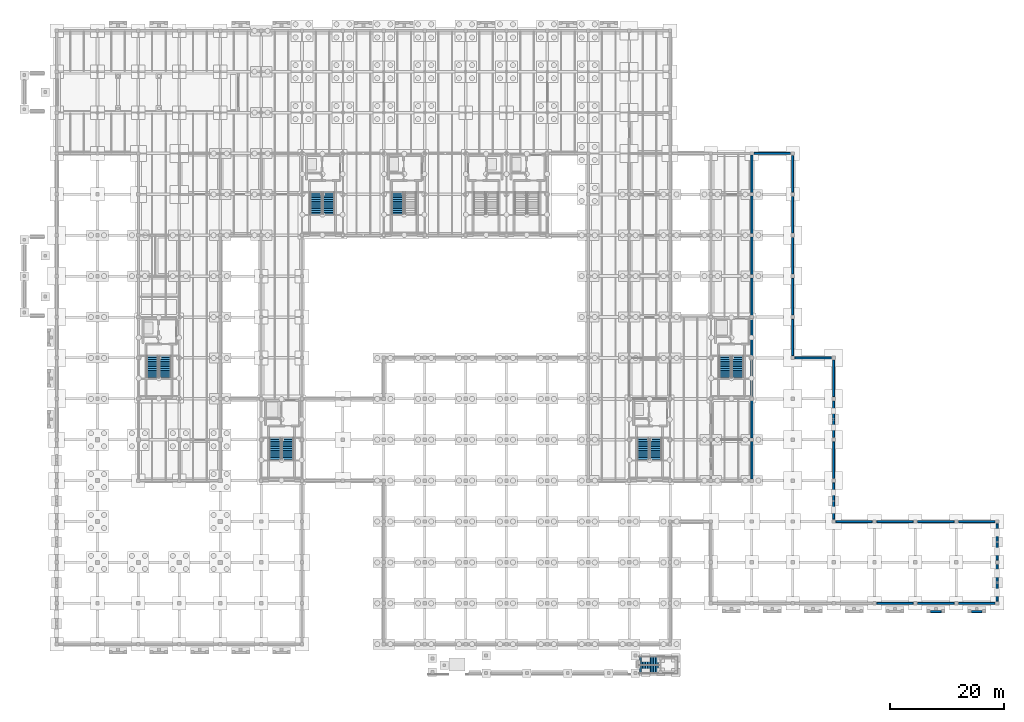
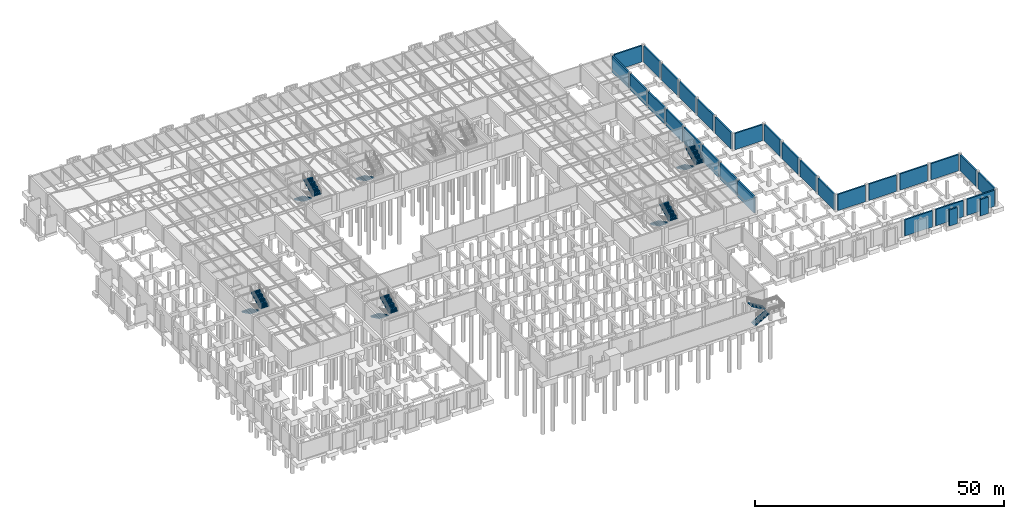
# One storey, part 38 of 46: 30 walls, 13 stair flights, 7 elements without a shape of their own.
"""IFC4 building model written with IfcOpenShell, lengths in metres."""

from ifc_helpers import new_model, si_unit, direction, frame, frame_2d, origin, place, context, subcontext, project, spatial, polyline, rectangle, outline, extrude, material, layer, layer_set, type_object, element, aggregate, save


model = new_model("IFC4")

# Units and contexts
model_context = context("Model", 3, precision=1e-05, world=origin(), true_north=direction((0.0, 1.0)))
body_context = subcontext(model_context, "Body", "Model", "MODEL_VIEW")
ifc_project = project(units=[si_unit("LENGTHUNIT", "METRE"), si_unit("AREAUNIT", "SQUARE_METRE"), si_unit("VOLUMEUNIT", "CUBIC_METRE"), si_unit("PLANEANGLEUNIT", "RADIAN"), si_unit("MASSUNIT", "GRAM", prefix="KILO")], contexts=[model_context])

# Site, building, storey
site_placement = place(None, origin())
site = spatial("IfcSite", under=ifc_project, at=site_placement, CompositionType="ELEMENT")
building_placement = place(site_placement, origin())
building = spatial("IfcBuilding", under=site, at=building_placement, Name="Sillqori Civic Hall", CompositionType="ELEMENT")
storey_placement = place(building_placement, frame((0.0, 0.0, -4.199951171875)))
storey = spatial("IfcBuildingStorey", under=building, at=storey_placement, Name="B01", CompositionType="ELEMENT", Elevation=-4.199951171875)

# Walls
ifc_material_1 = material(Name="Concrete C35/45 (H35)", Category="concrete")
ifc_layer = layer(ifc_material_1, 0.35009765625)
ifc_layer_set = layer_set([ifc_layer], Name="Concrete C35/45 (H35)")
wall_type = type_object("IfcWallType", Name="RW-H35-350", PredefinedType="USERDEFINED", material=ifc_layer_set)
wall_1_placement = place(storey_placement, frame((129.60009765625, 36.300048828125, 0.0), z_axis=(0.0, 0.0, 1.0), x_axis=(0.0, 1.0, 0.0)))
element("IfcWall", 1, at=wall_1_placement, inside=storey, type_object=wall_type, Name="Basement retaining wall E 17-5", ObjectType="RETAININGWALL", PredefinedType="USERDEFINED", context=body_context, shape_type="SweptSolid", body=[
    extrude(rectangle(XDim=6.599853515625, YDim=0.35009765625, at=frame_2d((3.2998046875, 0.0))), origin(), (0.0, 0.0, 1.0), 3.97998046875),
])
for number, where, z_axis, x_axis, name in (
    (2, (129.60009765625, 43.5, 0.0), (0.0, 0.0, 1.0), (0.0, 1.0, 0.0), "Basement retaining wall E 17-6"),
    (3, (129.60009765625, 50.699951171875, 0.0), (0.0, 0.0, 1.0), (0.0, 1.0, 0.0), "Basement retaining wall E 17-7"),
    (4, (129.60009765625, 57.89990234375, 0.0), (0.0, 0.0, 1.0), (0.0, 1.0, 0.0), "Basement retaining wall E 17-8"),
):
    element("IfcWall", number, at=place(storey_placement, frame(where, z_axis=z_axis, x_axis=x_axis)), inside=storey, type_object=wall_type, Name=name, ObjectType="RETAININGWALL", PredefinedType="USERDEFINED", context=body_context, shape_type="SweptSolid", body=[
        extrude(rectangle(XDim=6.60009765625, YDim=0.35009765625, at=frame_2d((3.300048828125, 0.0))), origin(), (0.0, 0.0, 1.0), 3.97998046875),
    ])
for number, where, z_axis, x_axis, name in (
    (5, (129.60009765625, 65.10009765625, 0.0), (0.0, 0.0, 1.0), (0.0, 1.0, 0.0), "Basement retaining wall E 17-9"),
    (6, (129.60009765625, 72.300048828125, 0.0), (0.0, 0.0, 1.0), (0.0, 1.0, 0.0), "Basement retaining wall E 17-10"),
):
    element("IfcWall", number, at=place(storey_placement, frame(where, z_axis=z_axis, x_axis=x_axis)), inside=storey, type_object=wall_type, Name=name, ObjectType="RETAININGWALL", PredefinedType="USERDEFINED", context=body_context, shape_type="SweptSolid", body=[
        extrude(rectangle(XDim=6.599853515625, YDim=0.35009765625, at=frame_2d((3.2998046875, 0.0))), origin(), (0.0, 0.0, 1.0), 3.97998046875),
    ])
for number, where, z_axis, x_axis, name in (
    (7, (129.60009765625, 79.5, 0.0), (0.0, 0.0, 1.0), (0.0, 1.0, 0.0), "Basement retaining wall E 17-11"),
    (8, (129.60009765625, 86.699951171875, 0.0), (0.0, 0.0, 1.0), (0.0, 1.0, 0.0), "Basement retaining wall E 17-12"),
):
    element("IfcWall", number, at=place(storey_placement, frame(where, z_axis=z_axis, x_axis=x_axis)), inside=storey, type_object=wall_type, Name=name, ObjectType="RETAININGWALL", PredefinedType="USERDEFINED", context=body_context, shape_type="SweptSolid", body=[
        extrude(rectangle(XDim=6.60009765625, YDim=0.35009765625, at=frame_2d((3.300048828125, 0.0))), origin(), (0.0, 0.0, 1.0), 3.97998046875),
    ])
wall_2_placement = place(storey_placement, frame((136.800048828125, 58.0, 0.0), z_axis=(0.0, 0.0, 1.0), x_axis=(0.0, 1.0, 0.0)))
element("IfcWall", 9, at=wall_2_placement, inside=storey, type_object=wall_type, Name="Podium plinth retaining wall E 18-8", ObjectType="RETAININGWALL", PredefinedType="USERDEFINED", context=body_context, shape_type="SweptSolid", body=[
    extrude(rectangle(XDim=6.39990234375, YDim=0.35009765625, at=frame_2d((3.199951171875, 0.0))), origin(), (0.0, 0.0, 1.0), 3.97998046875),
])
for number, where, z_axis, x_axis, name in (
    (10, (136.800048828125, 65.199951171875, 0.0), (0.0, 0.0, 1.0), (0.0, 1.0, 0.0), "Podium plinth retaining wall E 18-9"),
    (11, (136.800048828125, 72.39990234375, 0.0), (0.0, 0.0, 1.0), (0.0, 1.0, 0.0), "Podium plinth retaining wall E 18-10"),
):
    element("IfcWall", number, at=place(storey_placement, frame(where, z_axis=z_axis, x_axis=x_axis)), inside=storey, type_object=wall_type, Name=name, ObjectType="RETAININGWALL", PredefinedType="USERDEFINED", context=body_context, shape_type="SweptSolid", body=[
        extrude(rectangle(XDim=6.400146484375, YDim=0.35009765625, at=frame_2d((3.2001953125, 0.0))), origin(), (0.0, 0.0, 1.0), 3.97998046875),
    ])
for number, where, z_axis, x_axis, name in (
    (12, (136.800048828125, 79.60009765625, 0.0), (0.0, 0.0, 1.0), (0.0, 1.0, 0.0), "Podium plinth retaining wall E 18-11"),
    (13, (130.0, 93.60009765625, 0.0), (0.0, 0.0, 1.0), (1.0, 0.0, 0.0), "Podium plinth retaining wall N 18-12"),
    (14, (136.800048828125, 86.800048828125, 0.0), (0.0, 0.0, 1.0), (0.0, 1.0, 0.0), "Podium plinth retaining wall E 18-12"),
):
    element("IfcWall", number, at=place(storey_placement, frame(where, z_axis=z_axis, x_axis=x_axis)), inside=storey, type_object=wall_type, Name=name, ObjectType="RETAININGWALL", PredefinedType="USERDEFINED", context=body_context, shape_type="SweptSolid", body=[
        extrude(rectangle(XDim=6.39990234375, YDim=0.35009765625, at=frame_2d((3.199951171875, 0.0))), origin(), (0.0, 0.0, 1.0), 3.97998046875),
    ])
for number, where, z_axis, x_axis, name in (
    (15, (144.0, 29.199951171875, 0.0), (0.0, 0.0, 1.0), (0.0, 1.0, 0.0), "Podium plinth retaining wall E 19-4"),
    (16, (144.0, 36.39990234375, 0.0), (0.0, 0.0, 1.0), (0.0, 1.0, 0.0), "Podium plinth retaining wall E 19-5"),
):
    element("IfcWall", number, at=place(storey_placement, frame(where, z_axis=z_axis, x_axis=x_axis)), inside=storey, type_object=wall_type, Name=name, ObjectType="RETAININGWALL", PredefinedType="USERDEFINED", context=body_context, shape_type="SweptSolid", body=[
        extrude(rectangle(XDim=6.400146484375, YDim=0.35009765625, at=frame_2d((3.2001953125, 0.0))), origin(), (0.0, 0.0, 1.0), 3.97998046875),
    ])
wall_3_placement = place(storey_placement, frame((144.0, 43.60009765625, 0.0), z_axis=(0.0, 0.0, 1.0), x_axis=(0.0, 1.0, 0.0)))
element("IfcWall", 17, at=wall_3_placement, inside=storey, type_object=wall_type, Name="Podium plinth retaining wall E 19-6", ObjectType="RETAININGWALL", PredefinedType="USERDEFINED", context=body_context, shape_type="SweptSolid", body=[
    extrude(rectangle(XDim=6.39990234375, YDim=0.35009765625, at=frame_2d((3.199951171875, 0.0))), origin(), (0.0, 0.0, 1.0), 3.97998046875),
])
wall_4_placement = place(storey_placement, frame((137.199951171875, 57.60009765625, 0.0), z_axis=(0.0, 0.0, 1.0), x_axis=(1.0, 0.0, 0.0)))
element("IfcWall", 18, at=wall_4_placement, inside=storey, type_object=wall_type, Name="Podium plinth retaining wall N 19-7", ObjectType="RETAININGWALL", PredefinedType="USERDEFINED", context=body_context, shape_type="SweptSolid", body=[
    extrude(rectangle(XDim=6.400146484375, YDim=0.35009765625, at=frame_2d((3.2001953125, 0.0))), origin(), (0.0, 0.0, 1.0), 3.97998046875),
])
wall_5_placement = place(storey_placement, frame((144.0, 50.800048828125, 0.0), z_axis=(0.0, 0.0, 1.0), x_axis=(0.0, 1.0, 0.0)))
element("IfcWall", 19, at=wall_5_placement, inside=storey, type_object=wall_type, Name="Podium plinth retaining wall E 19-7", ObjectType="RETAININGWALL", PredefinedType="USERDEFINED", context=body_context, shape_type="SweptSolid", body=[
    extrude(rectangle(XDim=6.39990234375, YDim=0.35009765625, at=frame_2d((3.199951171875, 0.0))), origin(), (0.0, 0.0, 1.0), 3.97998046875),
])
wall_6_placement = place(storey_placement, frame((144.39990234375, 28.800048828125, 0.0), z_axis=(0.0, 0.0, 1.0), x_axis=(1.0, 0.0, 0.0)))
element("IfcWall", 20, at=wall_6_placement, inside=storey, type_object=wall_type, Name="Podium plinth retaining wall N 20-3", ObjectType="RETAININGWALL", PredefinedType="USERDEFINED", context=body_context, shape_type="SweptSolid", body=[
    extrude(rectangle(XDim=6.400146484375, YDim=0.35009765625, at=frame_2d((3.2001953125, 0.0))), origin(), (0.0, 0.0, 1.0), 3.97998046875),
])
for number, where, z_axis, x_axis, name in (
    (21, (151.60009765625, 14.39990234375, 0.0), (0.0, 0.0, 1.0), (1.0, 0.0, 0.0), "Podium plinth retaining wall S 21-2"),
    (22, (151.60009765625, 28.800048828125, 0.0), (0.0, 0.0, 1.0), (1.0, 0.0, 0.0), "Podium plinth retaining wall N 21-3"),
    (23, (158.800048828125, 14.39990234375, 0.0), (0.0, 0.0, 1.0), (1.0, 0.0, 0.0), "Podium plinth retaining wall S 22-2"),
    (24, (158.800048828125, 28.800048828125, 0.0), (0.0, 0.0, 1.0), (1.0, 0.0, 0.0), "Podium plinth retaining wall N 22-3"),
    (25, (166.0, 14.39990234375, 0.0), (0.0, 0.0, 1.0), (1.0, 0.0, 0.0), "Podium plinth retaining wall S 23-2"),
    (26, (172.800048828125, 14.800048828125, 0.0), (0.0, 0.0, 1.0), (0.0, 1.0, 0.0), "Podium plinth retaining wall E 23-2"),
    (27, (166.0, 28.800048828125, 0.0), (0.0, 0.0, 1.0), (1.0, 0.0, 0.0), "Podium plinth retaining wall N 23-3"),
    (28, (172.800048828125, 22.0, 0.0), (0.0, 0.0, 1.0), (0.0, 1.0, 0.0), "Podium plinth retaining wall E 23-3"),
):
    element("IfcWall", number, at=place(storey_placement, frame(where, z_axis=z_axis, x_axis=x_axis)), inside=storey, type_object=wall_type, Name=name, ObjectType="RETAININGWALL", PredefinedType="USERDEFINED", context=body_context, shape_type="SweptSolid", body=[
        extrude(rectangle(XDim=6.39990234375, YDim=0.35009765625, at=frame_2d((3.199951171875, 0.0))), origin(), (0.0, 0.0, 1.0), 3.97998046875),
    ])
wall_7_placement = place(storey_placement, frame((161.080078125, 12.919921875, 0.0), z_axis=(0.0, 0.0, 1.0), x_axis=(1.0, 0.0, 0.0)))
element("IfcWall", 29, at=wall_7_placement, inside=storey, type_object=wall_type, Name="Library Archive Garden Portal plinth retaining wall", ObjectType="RETAININGWALL", PredefinedType="USERDEFINED", context=body_context, shape_type="SweptSolid", body=[
    extrude(rectangle(XDim=1.83984375, YDim=0.35009765625, at=frame_2d((0.919921875, 0.0))), origin(), (0.0, 0.0, 1.0), 3.97998046875),
])
wall_8_placement = place(storey_placement, frame((168.280029296875, 12.919921875, 0.0), z_axis=(0.0, 0.0, 1.0), x_axis=(1.0, 0.0, 0.0)))
element("IfcWall", 30, at=wall_8_placement, inside=storey, type_object=wall_type, Name="Library Pavilion Far East Exit plinth retaining wall", ObjectType="RETAININGWALL", PredefinedType="USERDEFINED", context=body_context, shape_type="SweptSolid", body=[
    extrude(rectangle(XDim=1.840087890625, YDim=0.35009765625, at=frame_2d((0.919921875, 0.0))), origin(), (0.0, 0.0, 1.0), 3.97998046875),
])

# Stair, stair flights
stair_type_1 = type_object("IfcStairType", Name="STR-CORE-01", PredefinedType="DOUBLE_RETURN_STAIR", material=ifc_material_1)
stair_1_placement = place(storey_placement, origin())
stair_1 = element("IfcStair", 31, at=stair_1_placement, inside=storey, type_object=stair_type_1, Name="B01 Core exit stair ST-01", PredefinedType="DOUBLE_RETURN_STAIR")
stair_flight_type_1 = type_object("IfcStairFlightType", Name="SFL-CORE-220", PredefinedType="STRAIGHT", material=ifc_material_1)
stair_flight_1_placement = place(storey_placement, frame((45.68994140625, 43.570068359375, 0.0), z_axis=(0.0, 0.0, 1.0), x_axis=(0.0, -1.0, 0.0)))
stair_flight_1 = element("IfcStairFlight", 32, at=stair_flight_1_placement, type_object=stair_flight_type_1, Name="ST-01 flight 1", NumberOfRisers=13, NumberOfTreads=12, PredefinedType="STRAIGHT", RiserHeight=0.161538462, TreadLength=0.32, context=body_context, shape_type="SweptSolid", body=[
    extrude(outline(polyline([(0.0, 0.0), (0.0, 0.16162109375), (0.320068359375, 0.16162109375), (0.320068359375, 0.322998046875), (0.639892578125, 0.322998046875), (0.639892578125, 0.484619140625), (0.9599609375, 0.484619140625), (0.9599609375, 0.646240234375), (1.280029296875, 0.646240234375), (1.280029296875, 0.8076171875), (1.60009765625, 0.8076171875), (1.60009765625, 0.96923828125), (1.919921875, 0.96923828125), (1.919921875, 1.130859375), (2.239990234375, 1.130859375), (2.239990234375, 1.292236328125), (2.56005859375, 1.292236328125), (2.56005859375, 1.453857421875), (2.8798828125, 1.453857421875), (2.8798828125, 1.615478515625), (3.199951171875, 1.615478515625), (3.199951171875, 1.77685546875), (3.52001953125, 1.77685546875), (3.52001953125, 1.9384765625), (3.840087890625, 1.9384765625), (3.840087890625, 2.10009765625), (3.840087890625, 1.692138671875), (0.488037109375, 0.0), (0.0, 0.0)])), frame((0.0, 1.030029296875, 0.0), z_axis=(0.0, -1.0, 0.0), x_axis=(1.0, 0.0, 0.0)), (0.0, 0.0, 1.0), 2.06005859375),
])
stair_flight_2_placement = place(storey_placement, frame((47.909912109375, 39.72998046875, 2.099853515625), z_axis=(0.0, 0.0, 1.0), x_axis=(0.0, 1.0, 0.0)))
stair_flight_2 = element("IfcStairFlight", 33, at=stair_flight_2_placement, type_object=stair_flight_type_1, Name="ST-01 flight 2", NumberOfRisers=13, NumberOfTreads=12, PredefinedType="STRAIGHT", RiserHeight=0.161538462, TreadLength=0.32, context=body_context, shape_type="SweptSolid", body=[
    extrude(outline(polyline([(0.0, 0.0), (0.0, 0.16162109375), (0.320068359375, 0.16162109375), (0.320068359375, 0.322998046875), (0.639892578125, 0.322998046875), (0.639892578125, 0.484619140625), (0.9599609375, 0.484619140625), (0.9599609375, 0.646240234375), (1.280029296875, 0.646240234375), (1.280029296875, 0.8076171875), (1.60009765625, 0.8076171875), (1.60009765625, 0.96923828125), (1.919921875, 0.96923828125), (1.919921875, 1.130859375), (2.239990234375, 1.130859375), (2.239990234375, 1.292236328125), (2.56005859375, 1.292236328125), (2.56005859375, 1.453857421875), (2.8798828125, 1.453857421875), (2.8798828125, 1.615478515625), (3.199951171875, 1.615478515625), (3.199951171875, 1.77685546875), (3.52001953125, 1.77685546875), (3.52001953125, 1.9384765625), (3.840087890625, 1.9384765625), (3.840087890625, 2.10009765625), (3.840087890625, 1.692138671875), (0.488037109375, 0.0), (0.0, 0.0)])), frame((0.0, 1.030029296875, 0.0), z_axis=(0.0, -1.0, 0.0), x_axis=(1.0, 0.0, 0.0)), (0.0, 0.0, 1.0), 2.06005859375),
])
aggregate(stair_1, [stair_flight_1, stair_flight_2])

stair_type_2 = type_object("IfcStairType", Name="STR-CORE-02", PredefinedType="DOUBLE_RETURN_STAIR", material=ifc_material_1)
stair_2_placement = place(storey_placement, origin())
stair_2 = element("IfcStair", 34, at=stair_2_placement, inside=storey, type_object=stair_type_2, Name="B01 Core exit stair ST-02", PredefinedType="DOUBLE_RETURN_STAIR")
stair_flight_3_placement = place(storey_placement, frame((124.889892578125, 57.969970703125, 0.0), z_axis=(0.0, 0.0, 1.0), x_axis=(0.0, -1.0, 0.0)))
stair_flight_3 = element("IfcStairFlight", 35, at=stair_flight_3_placement, type_object=stair_flight_type_1, Name="ST-02 flight 1", NumberOfRisers=13, NumberOfTreads=12, PredefinedType="STRAIGHT", RiserHeight=0.161538462, TreadLength=0.32, context=body_context, shape_type="SweptSolid", body=[
    extrude(outline(polyline([(0.0, 0.0), (0.0, 0.16162109375), (0.320068359375, 0.16162109375), (0.320068359375, 0.322998046875), (0.639892578125, 0.322998046875), (0.639892578125, 0.484619140625), (0.9599609375, 0.484619140625), (0.9599609375, 0.646240234375), (1.280029296875, 0.646240234375), (1.280029296875, 0.8076171875), (1.60009765625, 0.8076171875), (1.60009765625, 0.96923828125), (1.919921875, 0.96923828125), (1.919921875, 1.130859375), (2.239990234375, 1.130859375), (2.239990234375, 1.292236328125), (2.56005859375, 1.292236328125), (2.56005859375, 1.453857421875), (2.8798828125, 1.453857421875), (2.8798828125, 1.615478515625), (3.199951171875, 1.615478515625), (3.199951171875, 1.77685546875), (3.52001953125, 1.77685546875), (3.52001953125, 1.9384765625), (3.840087890625, 1.9384765625), (3.840087890625, 2.10009765625), (3.840087890625, 1.692138671875), (0.488037109375, 0.0), (0.0, 0.0)])), frame((0.0, 1.030029296875, 0.0), z_axis=(0.0, -1.0, 0.0), x_axis=(1.0, 0.0, 0.0)), (0.0, 0.0, 1.0), 2.06005859375),
])
stair_flight_4_placement = place(storey_placement, frame((127.110107421875, 54.1298828125, 2.099853515625), z_axis=(0.0, 0.0, 1.0), x_axis=(0.0, 1.0, 0.0)))
stair_flight_4 = element("IfcStairFlight", 36, at=stair_flight_4_placement, type_object=stair_flight_type_1, Name="ST-02 flight 2", NumberOfRisers=13, NumberOfTreads=12, PredefinedType="STRAIGHT", RiserHeight=0.161538462, TreadLength=0.32, context=body_context, shape_type="SweptSolid", body=[
    extrude(outline(polyline([(0.0, 0.0), (0.0, 0.16162109375), (0.320068359375, 0.16162109375), (0.320068359375, 0.322998046875), (0.639892578125, 0.322998046875), (0.639892578125, 0.484619140625), (0.9599609375, 0.484619140625), (0.9599609375, 0.646240234375), (1.280029296875, 0.646240234375), (1.280029296875, 0.8076171875), (1.60009765625, 0.8076171875), (1.60009765625, 0.96923828125), (1.919921875, 0.96923828125), (1.919921875, 1.130859375), (2.239990234375, 1.130859375), (2.239990234375, 1.292236328125), (2.56005859375, 1.292236328125), (2.56005859375, 1.453857421875), (2.8798828125, 1.453857421875), (2.8798828125, 1.615478515625), (3.199951171875, 1.615478515625), (3.199951171875, 1.77685546875), (3.52001953125, 1.77685546875), (3.52001953125, 1.9384765625), (3.840087890625, 1.9384765625), (3.840087890625, 2.10009765625), (3.840087890625, 1.692138671875), (0.488037109375, 0.0), (0.0, 0.0)])), frame((0.0, 1.030029296875, 0.0), z_axis=(0.0, -1.0, 0.0), x_axis=(1.0, 0.0, 0.0)), (0.0, 0.0, 1.0), 2.06005859375),
])
aggregate(stair_2, [stair_flight_3, stair_flight_4])

stair_type_3 = type_object("IfcStairType", Name="STR-CORE-03", PredefinedType="DOUBLE_RETURN_STAIR", material=ifc_material_1)
stair_3_placement = place(storey_placement, origin())
stair_3 = element("IfcStair", 37, at=stair_3_placement, inside=storey, type_object=stair_type_3, Name="B01 Core exit stair ST-03", PredefinedType="DOUBLE_RETURN_STAIR")
stair_flight_5_placement = place(storey_placement, frame((110.489990234375, 43.570068359375, 0.0), z_axis=(0.0, 0.0, 1.0), x_axis=(0.0, -1.0, 0.0)))
stair_flight_5 = element("IfcStairFlight", 38, at=stair_flight_5_placement, type_object=stair_flight_type_1, Name="ST-03 flight 1", NumberOfRisers=13, NumberOfTreads=12, PredefinedType="STRAIGHT", RiserHeight=0.161538462, TreadLength=0.32, context=body_context, shape_type="SweptSolid", body=[
    extrude(outline(polyline([(0.0, 0.0), (0.0, 0.16162109375), (0.320068359375, 0.16162109375), (0.320068359375, 0.322998046875), (0.639892578125, 0.322998046875), (0.639892578125, 0.484619140625), (0.9599609375, 0.484619140625), (0.9599609375, 0.646240234375), (1.280029296875, 0.646240234375), (1.280029296875, 0.8076171875), (1.60009765625, 0.8076171875), (1.60009765625, 0.96923828125), (1.919921875, 0.96923828125), (1.919921875, 1.130859375), (2.239990234375, 1.130859375), (2.239990234375, 1.292236328125), (2.56005859375, 1.292236328125), (2.56005859375, 1.453857421875), (2.8798828125, 1.453857421875), (2.8798828125, 1.615478515625), (3.199951171875, 1.615478515625), (3.199951171875, 1.77685546875), (3.52001953125, 1.77685546875), (3.52001953125, 1.9384765625), (3.840087890625, 1.9384765625), (3.840087890625, 2.10009765625), (3.840087890625, 1.692138671875), (0.488037109375, 0.0), (0.0, 0.0)])), frame((0.0, 1.030029296875, 0.0), z_axis=(0.0, -1.0, 0.0), x_axis=(1.0, 0.0, 0.0)), (0.0, 0.0, 1.0), 2.06005859375),
])
stair_flight_6_placement = place(storey_placement, frame((112.7099609375, 39.72998046875, 2.099853515625), z_axis=(0.0, 0.0, 1.0), x_axis=(0.0, 1.0, 0.0)))
stair_flight_6 = element("IfcStairFlight", 39, at=stair_flight_6_placement, type_object=stair_flight_type_1, Name="ST-03 flight 2", NumberOfRisers=13, NumberOfTreads=12, PredefinedType="STRAIGHT", RiserHeight=0.161538462, TreadLength=0.32, context=body_context, shape_type="SweptSolid", body=[
    extrude(outline(polyline([(0.0, 0.0), (0.0, 0.16162109375), (0.320068359375, 0.16162109375), (0.320068359375, 0.322998046875), (0.639892578125, 0.322998046875), (0.639892578125, 0.484619140625), (0.9599609375, 0.484619140625), (0.9599609375, 0.646240234375), (1.280029296875, 0.646240234375), (1.280029296875, 0.8076171875), (1.60009765625, 0.8076171875), (1.60009765625, 0.96923828125), (1.919921875, 0.96923828125), (1.919921875, 1.130859375), (2.239990234375, 1.130859375), (2.239990234375, 1.292236328125), (2.56005859375, 1.292236328125), (2.56005859375, 1.453857421875), (2.8798828125, 1.453857421875), (2.8798828125, 1.615478515625), (3.199951171875, 1.615478515625), (3.199951171875, 1.77685546875), (3.52001953125, 1.77685546875), (3.52001953125, 1.9384765625), (3.840087890625, 1.9384765625), (3.840087890625, 2.10009765625), (3.840087890625, 1.692138671875), (0.488037109375, 0.0), (0.0, 0.0)])), frame((0.0, 1.030029296875, 0.0), z_axis=(0.0, -1.0, 0.0), x_axis=(1.0, 0.0, 0.0)), (0.0, 0.0, 1.0), 2.06005859375),
])
aggregate(stair_3, [stair_flight_5, stair_flight_6])

stair_type_4 = type_object("IfcStairType", Name="STR-CORE-04", PredefinedType="DOUBLE_RETURN_STAIR", material=ifc_material_1)
stair_4_placement = place(storey_placement, origin())
stair_4 = element("IfcStair", 40, at=stair_4_placement, inside=storey, type_object=stair_type_4, Name="B01 Core exit stair ST-04", PredefinedType="DOUBLE_RETURN_STAIR")
stair_flight_7_placement = place(storey_placement, frame((24.090087890625, 57.969970703125, 0.0), z_axis=(0.0, 0.0, 1.0), x_axis=(0.0, -1.0, 0.0)))
stair_flight_7 = element("IfcStairFlight", 41, at=stair_flight_7_placement, type_object=stair_flight_type_1, Name="ST-04 flight 1", NumberOfRisers=13, NumberOfTreads=12, PredefinedType="STRAIGHT", RiserHeight=0.161538462, TreadLength=0.32, context=body_context, shape_type="SweptSolid", body=[
    extrude(outline(polyline([(0.0, 0.0), (0.0, 0.16162109375), (0.320068359375, 0.16162109375), (0.320068359375, 0.322998046875), (0.639892578125, 0.322998046875), (0.639892578125, 0.484619140625), (0.9599609375, 0.484619140625), (0.9599609375, 0.646240234375), (1.280029296875, 0.646240234375), (1.280029296875, 0.8076171875), (1.60009765625, 0.8076171875), (1.60009765625, 0.96923828125), (1.919921875, 0.96923828125), (1.919921875, 1.130859375), (2.239990234375, 1.130859375), (2.239990234375, 1.292236328125), (2.56005859375, 1.292236328125), (2.56005859375, 1.453857421875), (2.8798828125, 1.453857421875), (2.8798828125, 1.615478515625), (3.199951171875, 1.615478515625), (3.199951171875, 1.77685546875), (3.52001953125, 1.77685546875), (3.52001953125, 1.9384765625), (3.840087890625, 1.9384765625), (3.840087890625, 2.10009765625), (3.840087890625, 1.692138671875), (0.488037109375, 0.0), (0.0, 0.0)])), frame((0.0, 1.030029296875, 0.0), z_axis=(0.0, -1.0, 0.0), x_axis=(1.0, 0.0, 0.0)), (0.0, 0.0, 1.0), 2.06005859375),
])
stair_flight_8_placement = place(storey_placement, frame((26.31005859375, 54.1298828125, 2.099853515625), z_axis=(0.0, 0.0, 1.0), x_axis=(0.0, 1.0, 0.0)))
stair_flight_8 = element("IfcStairFlight", 42, at=stair_flight_8_placement, type_object=stair_flight_type_1, Name="ST-04 flight 2", NumberOfRisers=13, NumberOfTreads=12, PredefinedType="STRAIGHT", RiserHeight=0.161538462, TreadLength=0.32, context=body_context, shape_type="SweptSolid", body=[
    extrude(outline(polyline([(0.0, 0.0), (0.0, 0.16162109375), (0.320068359375, 0.16162109375), (0.320068359375, 0.322998046875), (0.639892578125, 0.322998046875), (0.639892578125, 0.484619140625), (0.9599609375, 0.484619140625), (0.9599609375, 0.646240234375), (1.280029296875, 0.646240234375), (1.280029296875, 0.8076171875), (1.60009765625, 0.8076171875), (1.60009765625, 0.96923828125), (1.919921875, 0.96923828125), (1.919921875, 1.130859375), (2.239990234375, 1.130859375), (2.239990234375, 1.292236328125), (2.56005859375, 1.292236328125), (2.56005859375, 1.453857421875), (2.8798828125, 1.453857421875), (2.8798828125, 1.615478515625), (3.199951171875, 1.615478515625), (3.199951171875, 1.77685546875), (3.52001953125, 1.77685546875), (3.52001953125, 1.9384765625), (3.840087890625, 1.9384765625), (3.840087890625, 2.10009765625), (3.840087890625, 1.692138671875), (0.488037109375, 0.0), (0.0, 0.0)])), frame((0.0, 1.030029296875, 0.0), z_axis=(0.0, -1.0, 0.0), x_axis=(1.0, 0.0, 0.0)), (0.0, 0.0, 1.0), 2.06005859375),
])
aggregate(stair_4, [stair_flight_7, stair_flight_8])

stair_type_5 = type_object("IfcStairType", Name="STR-CORE-05", PredefinedType="DOUBLE_RETURN_STAIR", material=ifc_material_1)
stair_5_placement = place(storey_placement, origin())
stair_5 = element("IfcStair", 43, at=stair_5_placement, inside=storey, type_object=stair_type_5, Name="B01 Core exit stair ST-05", PredefinedType="DOUBLE_RETURN_STAIR")
stair_flight_9_placement = place(storey_placement, frame((52.889892578125, 86.77001953125, 0.0), z_axis=(0.0, 0.0, 1.0), x_axis=(0.0, -1.0, 0.0)))
stair_flight_9 = element("IfcStairFlight", 44, at=stair_flight_9_placement, type_object=stair_flight_type_1, Name="ST-05 flight 1", NumberOfRisers=13, NumberOfTreads=12, PredefinedType="STRAIGHT", RiserHeight=0.161538462, TreadLength=0.32, context=body_context, shape_type="SweptSolid", body=[
    extrude(outline(polyline([(0.0, 0.0), (0.0, 0.16162109375), (0.320068359375, 0.16162109375), (0.320068359375, 0.322998046875), (0.639892578125, 0.322998046875), (0.639892578125, 0.484619140625), (0.9599609375, 0.484619140625), (0.9599609375, 0.646240234375), (1.280029296875, 0.646240234375), (1.280029296875, 0.8076171875), (1.60009765625, 0.8076171875), (1.60009765625, 0.96923828125), (1.919921875, 0.96923828125), (1.919921875, 1.130859375), (2.239990234375, 1.130859375), (2.239990234375, 1.292236328125), (2.56005859375, 1.292236328125), (2.56005859375, 1.453857421875), (2.8798828125, 1.453857421875), (2.8798828125, 1.615478515625), (3.199951171875, 1.615478515625), (3.199951171875, 1.77685546875), (3.52001953125, 1.77685546875), (3.52001953125, 1.9384765625), (3.840087890625, 1.9384765625), (3.840087890625, 2.10009765625), (3.840087890625, 1.692138671875), (0.488037109375, 0.0), (0.0, 0.0)])), frame((0.0, 1.030029296875, 0.0), z_axis=(0.0, -1.0, 0.0), x_axis=(1.0, 0.0, 0.0)), (0.0, 0.0, 1.0), 2.06005859375),
])
stair_flight_10_placement = place(storey_placement, frame((55.110107421875, 82.929931640625, 2.099853515625), z_axis=(0.0, 0.0, 1.0), x_axis=(0.0, 1.0, 0.0)))
stair_flight_10 = element("IfcStairFlight", 45, at=stair_flight_10_placement, type_object=stair_flight_type_1, Name="ST-05 flight 2", NumberOfRisers=13, NumberOfTreads=12, PredefinedType="STRAIGHT", RiserHeight=0.161538462, TreadLength=0.32, context=body_context, shape_type="SweptSolid", body=[
    extrude(outline(polyline([(0.0, 0.0), (0.0, 0.16162109375), (0.320068359375, 0.16162109375), (0.320068359375, 0.322998046875), (0.639892578125, 0.322998046875), (0.639892578125, 0.484619140625), (0.9599609375, 0.484619140625), (0.9599609375, 0.646240234375), (1.280029296875, 0.646240234375), (1.280029296875, 0.8076171875), (1.60009765625, 0.8076171875), (1.60009765625, 0.96923828125), (1.919921875, 0.96923828125), (1.919921875, 1.130859375), (2.239990234375, 1.130859375), (2.239990234375, 1.292236328125), (2.56005859375, 1.292236328125), (2.56005859375, 1.453857421875), (2.8798828125, 1.453857421875), (2.8798828125, 1.615478515625), (3.199951171875, 1.615478515625), (3.199951171875, 1.77685546875), (3.52001953125, 1.77685546875), (3.52001953125, 1.9384765625), (3.840087890625, 1.9384765625), (3.840087890625, 2.10009765625), (3.840087890625, 1.692138671875), (0.488037109375, 0.0), (0.0, 0.0)])), frame((0.0, 1.030029296875, 0.0), z_axis=(0.0, -1.0, 0.0), x_axis=(1.0, 0.0, 0.0)), (0.0, 0.0, 1.0), 2.06005859375),
])
aggregate(stair_5, [stair_flight_9, stair_flight_10])

# Stair, stair flight
stair_type_6 = type_object("IfcStairType", Name="STR-CORE-06", PredefinedType="DOUBLE_RETURN_STAIR", material=ifc_material_1)
stair_6_placement = place(storey_placement, origin())
stair_6 = element("IfcStair", 46, at=stair_6_placement, inside=storey, type_object=stair_type_6, Name="B01 Core exit stair ST-06", PredefinedType="DOUBLE_RETURN_STAIR")
stair_flight_11_placement = place(storey_placement, frame((67.2900390625, 86.77001953125, 0.0), z_axis=(0.0, 0.0, 1.0), x_axis=(0.0, -1.0, 0.0)))
stair_flight_11 = element("IfcStairFlight", 47, at=stair_flight_11_placement, type_object=stair_flight_type_1, Name="ST-06 flight 1", NumberOfRisers=13, NumberOfTreads=12, PredefinedType="STRAIGHT", RiserHeight=0.161538462, TreadLength=0.32, context=body_context, shape_type="SweptSolid", body=[
    extrude(outline(polyline([(0.0, 0.0), (0.0, 0.16162109375), (0.320068359375, 0.16162109375), (0.320068359375, 0.322998046875), (0.639892578125, 0.322998046875), (0.639892578125, 0.484619140625), (0.9599609375, 0.484619140625), (0.9599609375, 0.646240234375), (1.280029296875, 0.646240234375), (1.280029296875, 0.8076171875), (1.60009765625, 0.8076171875), (1.60009765625, 0.96923828125), (1.919921875, 0.96923828125), (1.919921875, 1.130859375), (2.239990234375, 1.130859375), (2.239990234375, 1.292236328125), (2.56005859375, 1.292236328125), (2.56005859375, 1.453857421875), (2.8798828125, 1.453857421875), (2.8798828125, 1.615478515625), (3.199951171875, 1.615478515625), (3.199951171875, 1.77685546875), (3.52001953125, 1.77685546875), (3.52001953125, 1.9384765625), (3.840087890625, 1.9384765625), (3.840087890625, 2.10009765625), (3.840087890625, 1.692138671875), (0.488037109375, 0.0), (0.0, 0.0)])), frame((0.0, 1.030029296875, 0.0), z_axis=(0.0, -1.0, 0.0), x_axis=(1.0, 0.0, 0.0)), (0.0, 0.0, 1.0), 2.06005859375),
])
aggregate(stair_6, [stair_flight_11])

# Stair, stair flights
ifc_material_2 = material(Name="Steel ASTM A992 and Honed Limestone Treads", Category="masonry")
stair_type_7 = type_object("IfcStairType", Name="STR-MON-420", PredefinedType="STRAIGHT_RUN_STAIR", material=ifc_material_2)
stair_7_placement = place(storey_placement, origin())
stair_7 = element("IfcStair", 48, at=stair_7_placement, inside=storey, type_object=stair_type_7, Name="Forecourt ceremonial exterior civic stair", PredefinedType="STRAIGHT_RUN_STAIR")
stair_flight_type_2 = type_object("IfcStairFlightType", Name="SFL-MON-165", PredefinedType="STRAIGHT", material=ifc_material_1)
stair_flight_12_placement = place(storey_placement, frame((109.800048828125, 2.77490234375, 0.0), z_axis=(0.0, 0.0, 1.0), x_axis=(1.0, 0.0, 0.0)))
stair_flight_12 = element("IfcStairFlight", 49, at=stair_flight_12_placement, type_object=stair_flight_type_2, Name="MS-19 flight 1", NumberOfRisers=13, NumberOfTreads=12, PredefinedType="STRAIGHT", RiserHeight=0.161538, TreadLength=0.28, context=body_context, shape_type="SweptSolid", body=[
    extrude(outline(polyline([(0.0, 0.0), (0.0, 0.16162109375), (0.280029296875, 0.16162109375), (0.280029296875, 0.322998046875), (0.56005859375, 0.322998046875), (0.56005859375, 0.484619140625), (0.840087890625, 0.484619140625), (0.840087890625, 0.646240234375), (1.1201171875, 0.646240234375), (1.1201171875, 0.8076171875), (1.39990234375, 0.8076171875), (1.39990234375, 0.96923828125), (1.679931640625, 0.96923828125), (1.679931640625, 1.130859375), (1.9599609375, 1.130859375), (1.9599609375, 1.292236328125), (2.239990234375, 1.292236328125), (2.239990234375, 1.453857421875), (2.52001953125, 1.453857421875), (2.52001953125, 1.615478515625), (2.800048828125, 1.615478515625), (2.800048828125, 1.77685546875), (3.080078125, 1.77685546875), (3.080078125, 1.9384765625), (3.360107421875, 1.9384765625), (3.360107421875, 2.10009765625), (3.360107421875, 1.70751953125), (0.400146484375, 0.0), (0.0, 0.0)])), frame((0.0, 0.72509765625, 0.0), z_axis=(0.0, -1.0, 0.0), x_axis=(1.0, 0.0, 0.0)), (0.0, 0.0, 1.0), 1.449951171875),
])
stair_flight_13_placement = place(storey_placement, frame((113.159912109375, 4.22509765625, 2.099853515625), z_axis=(0.0, 0.0, 1.0), x_axis=(-1.0, 0.0, 0.0)))
stair_flight_13 = element("IfcStairFlight", 50, at=stair_flight_13_placement, type_object=stair_flight_type_2, Name="MS-19 flight 2", NumberOfRisers=13, NumberOfTreads=12, PredefinedType="STRAIGHT", RiserHeight=0.161538, TreadLength=0.28, context=body_context, shape_type="SweptSolid", body=[
    extrude(outline(polyline([(0.0, 0.0), (0.0, 0.16162109375), (0.280029296875, 0.16162109375), (0.280029296875, 0.322998046875), (0.56005859375, 0.322998046875), (0.56005859375, 0.484619140625), (0.840087890625, 0.484619140625), (0.840087890625, 0.646240234375), (1.1201171875, 0.646240234375), (1.1201171875, 0.8076171875), (1.39990234375, 0.8076171875), (1.39990234375, 0.96923828125), (1.679931640625, 0.96923828125), (1.679931640625, 1.130859375), (1.9599609375, 1.130859375), (1.9599609375, 1.292236328125), (2.239990234375, 1.292236328125), (2.239990234375, 1.453857421875), (2.52001953125, 1.453857421875), (2.52001953125, 1.615478515625), (2.800048828125, 1.615478515625), (2.800048828125, 1.77685546875), (3.080078125, 1.77685546875), (3.080078125, 1.9384765625), (3.360107421875, 1.9384765625), (3.360107421875, 2.10009765625), (3.360107421875, 1.70751953125), (0.400146484375, 0.0), (0.0, 0.0)])), frame((0.0, 0.72509765625, 0.0), z_axis=(0.0, -1.0, 0.0), x_axis=(1.0, 0.0, 0.0)), (0.0, 0.0, 1.0), 1.449951171875),
])
aggregate(stair_7, [stair_flight_12, stair_flight_13])

save(model, "model.ifc")
